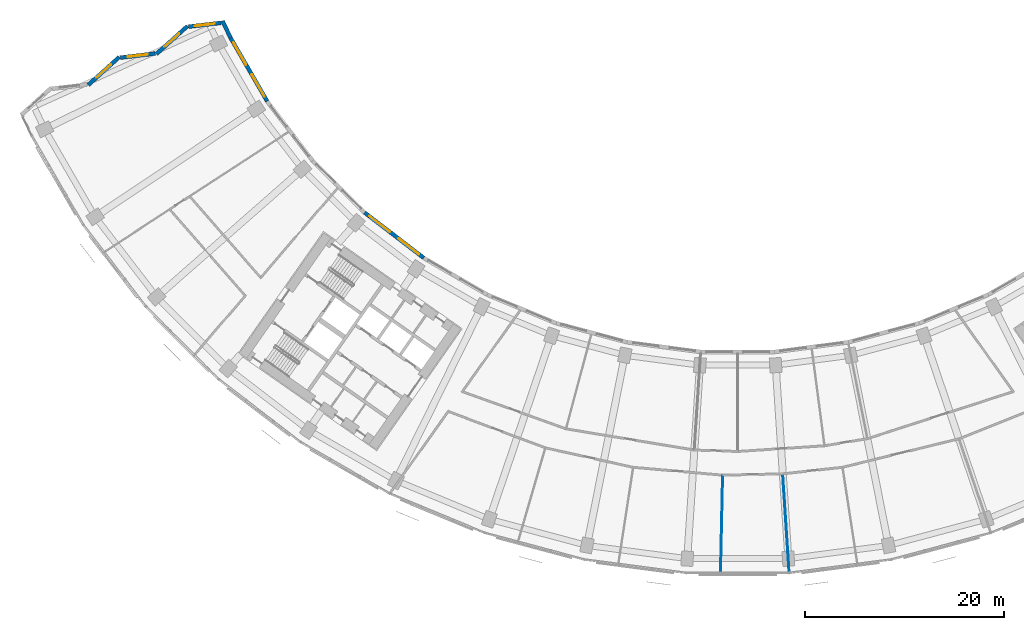
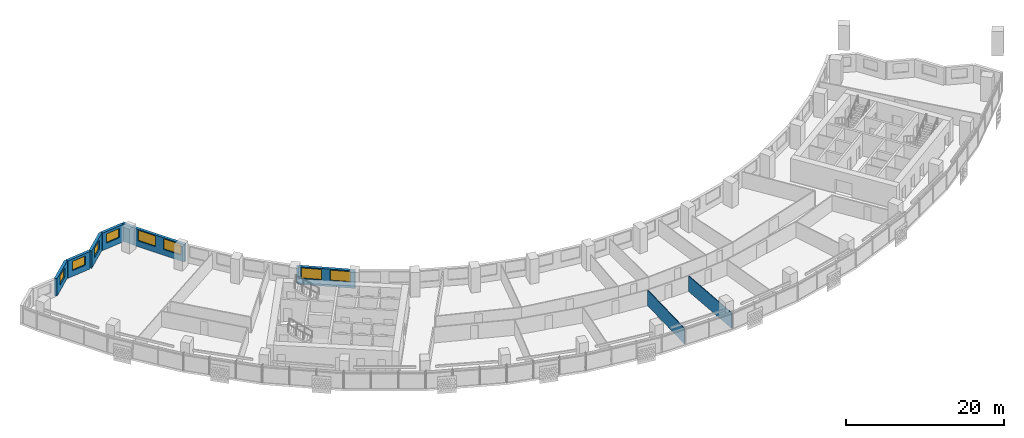
# One storey, part 5 of 29: 9 walls, 8 windows, 8 openings.
"""IFC4 building model written with IfcOpenShell, lengths in metres."""

from ifc_helpers import new_model, si_unit, direction, frame, frame_2d, origin, place, context, subcontext, project, spatial, rectangle, extrude, material, layer, layer_set, type_object, element, fill, save


model = new_model("IFC4")

# Units and contexts
model_context = context("Model", 3, precision=1e-05, world=origin(), true_north=direction((0.0, 1.0)))
body_context = subcontext(model_context, "Body", "Model", "MODEL_VIEW")
ifc_project = project(units=[si_unit("LENGTHUNIT", "METRE"), si_unit("AREAUNIT", "SQUARE_METRE"), si_unit("VOLUMEUNIT", "CUBIC_METRE"), si_unit("PLANEANGLEUNIT", "RADIAN"), si_unit("MASSUNIT", "GRAM", prefix="KILO")], contexts=[model_context])

# Site, building, storey
site_placement = place(None, origin())
site = spatial("IfcSite", under=ifc_project, at=site_placement, CompositionType="ELEMENT")
building_placement = place(site_placement, origin())
building = spatial("IfcBuilding", under=site, at=building_placement, Name="Qamariyya Broadcast Tower", CompositionType="ELEMENT")
storey_placement = place(building_placement, frame((0.0, 0.0, 113.89990234375)))
storey = spatial("IfcBuildingStorey", under=building, at=storey_placement, Name="L25", CompositionType="ELEMENT", Elevation=113.89990234375)

# Walls
ifc_material_1 = material(Name="Gypsum board partition")
ifc_layer_1 = layer(ifc_material_1, 0.10009765625)
ifc_layer_set_1 = layer_set([ifc_layer_1], Name="Partition 100")
wall_type_1 = type_object("IfcWallType", Name="Partition 100", PredefinedType="PARTITIONING", material=ifc_layer_set_1)
wall_1_placement = place(storey_placement, frame((-1.724365234375, -78.93017578125, 0.0), z_axis=(0.0, 0.0, 1.0), x_axis=(0.021829960086, 0.999761698027, 0.0)))
element("IfcWall", 1, at=wall_1_placement, inside=storey, type_object=wall_type_1, Name="Partition L25-020", PredefinedType="PARTITIONING", context=body_context, shape_type="SweptSolid", body=[
    extrude(rectangle(XDim=9.673828125, YDim=0.10009765625, at=frame_2d((4.8369140625, 0.0))), origin(), (0.0, 0.0, 1.0), 2.400146484375),
])
wall_2_placement = place(storey_placement, frame((5.17333984375, -78.9306640625, 0.0), z_axis=(0.0, 0.0, 1.0), x_axis=(-0.065402415744, 0.997858970003, 0.0)))
element("IfcWall", 2, at=wall_2_placement, inside=storey, type_object=wall_type_1, Name="Partition L25-025", PredefinedType="PARTITIONING", context=body_context, shape_type="SweptSolid", body=[
    extrude(rectangle(XDim=9.824951171875, YDim=0.10009765625, at=frame_2d((4.91259765625, 0.0))), origin(), (0.0, 0.0, 1.0), 2.400146484375),
])

# Wall, opening, window
ifc_material_2 = material(Name="Terracotta", Category="masonry")
ifc_layer_2 = layer(ifc_material_2, 0.39990234375)
ifc_layer_set_2 = layer_set([ifc_layer_2], Name="Terracotta clad wall 400")
wall_type_2 = type_object("IfcWallType", Name="Terracotta clad wall 400", PredefinedType="SOLIDWALL", material=ifc_layer_set_2)
wall_3_placement = place(storey_placement, frame((-51.99609375, -23.683837890625, 0.0), z_axis=(0.0, 0.0, 1.0), x_axis=(-0.993181099062, -0.116581750145, 0.0)))
wall_3 = element("IfcWall", 3, at=wall_3_placement, inside=storey, type_object=wall_type_2, Name="e-wl-L25-capW0", PredefinedType="SOLIDWALL", context=body_context, shape_type="SweptSolid", body=[
    extrude(rectangle(XDim=3.275146484375, YDim=0.39990234375, at=frame_2d((1.6376953125, 0.0))), origin(), (0.0, 0.0, 1.0), 2.7001953125),
])
opening_1_placement = place(wall_3_placement, frame((0.6376953125, 0.0, 0.89990234375)))
opening_1 = element("IfcOpeningElement", 4, at=opening_1_placement, cuts=wall_3, Name="Opening W4", PredefinedType="OPENING", context=body_context, shape_type="SweptSolid", body=[
    extrude(rectangle(XDim=2.0, YDim=1.425048828125, at=frame_2d((1.0, 0.71240234375))), frame((0.0, 0.2099609375, 0.0), z_axis=(0.0, -1.0, 0.0), x_axis=(1.0, 0.0, 0.0)), (0.0, 0.0, 1.0), 0.419921875),
])
ifc_material_3 = material(Name="Clear low-e double glazed unit in aluminium frame", Category="aluminium")
window_type_1 = type_object("IfcWindowType", Name="Horn bay window 2000 x 1425", PartitioningType="SINGLE_PANEL", PredefinedType="WINDOW", material=ifc_material_3)
window_1_placement = place(opening_1_placement, origin())
window_1 = element("IfcWindow", 5, at=window_1_placement, inside=storey, type_object=window_type_1, Name="e-w-L25-capW0", OverallHeight=1.425048828125, OverallWidth=2.0, PartitioningType="SINGLE_PANEL", PredefinedType="WINDOW", context=body_context, shape_type="SweptSolid", body=[
    extrude(rectangle(XDim=2.0, YDim=1.425048828125, at=frame_2d((1.0, 0.71240234375))), frame((0.0, 0.030029296875, 0.0), z_axis=(0.0, -1.0, 0.0), x_axis=(1.0, 0.0, 0.0)), (0.0, 0.0, 1.0), 0.06005859375),
])
fill(opening_1, window_1)

wall_4_placement = place(storey_placement, frame((-55.371337890625, -24.01318359375, 0.0), z_axis=(0.0, 0.0, 1.0), x_axis=(-0.742715018752, -0.669607647, 0.0)))
wall_4 = element("IfcWall", 6, at=wall_4_placement, inside=storey, type_object=wall_type_2, Name="e-wl-L25-capW1", PredefinedType="SOLIDWALL", context=body_context, shape_type="SweptSolid", body=[
    extrude(rectangle(XDim=4.1943359375, YDim=0.39990234375, at=frame_2d((2.09716796875, 0.0))), origin(), (0.0, 0.0, 1.0), 2.7001953125),
])
opening_2_placement = place(wall_4_placement, frame((1.09716796875, 0.0, 0.89990234375)))
opening_2 = element("IfcOpeningElement", 7, at=opening_2_placement, cuts=wall_4, Name="Opening W4", PredefinedType="OPENING", context=body_context, shape_type="SweptSolid", body=[
    extrude(rectangle(XDim=2.0, YDim=1.425048828125, at=frame_2d((1.0, 0.71240234375))), frame((0.0, 0.2099609375, 0.0), z_axis=(0.0, -1.0, 0.0), x_axis=(1.0, 0.0, 0.0)), (0.0, 0.0, 1.0), 0.419921875),
])
window_2_placement = place(opening_2_placement, origin())
window_2 = element("IfcWindow", 8, at=window_2_placement, inside=storey, type_object=window_type_1, Name="e-w-L25-capW1", OverallHeight=1.425048828125, OverallWidth=2.0, PartitioningType="SINGLE_PANEL", PredefinedType="WINDOW", context=body_context, shape_type="SweptSolid", body=[
    extrude(rectangle(XDim=2.0, YDim=1.425048828125, at=frame_2d((1.0, 0.71240234375))), frame((0.0, 0.030029296875, 0.0), z_axis=(0.0, -1.0, 0.0), x_axis=(1.0, 0.0, 0.0)), (0.0, 0.0, 1.0), 0.06005859375),
])
fill(opening_2, window_2)

wall_5_placement = place(storey_placement, frame((-58.609130859375, -26.76904296875, 0.0), z_axis=(0.0, 0.0, 1.0), x_axis=(-0.993165253911, -0.116716658728, 0.0)))
wall_5 = element("IfcWall", 9, at=wall_5_placement, inside=storey, type_object=wall_type_2, Name="e-wl-L25-capW2", PredefinedType="SOLIDWALL", context=body_context, shape_type="SweptSolid", body=[
    extrude(rectangle(XDim=3.524658203125, YDim=0.39990234375, at=frame_2d((1.76220703125, 0.0))), origin(), (0.0, 0.0, 1.0), 2.7001953125),
])
opening_3_placement = place(wall_5_placement, frame((0.762451171875, 0.0, 0.89990234375)))
opening_3 = element("IfcOpeningElement", 10, at=opening_3_placement, cuts=wall_5, Name="Opening W4", PredefinedType="OPENING", context=body_context, shape_type="SweptSolid", body=[
    extrude(rectangle(XDim=2.0, YDim=1.425048828125, at=frame_2d((1.0, 0.71240234375))), frame((0.0, 0.2099609375, 0.0), z_axis=(0.0, -1.0, 0.0), x_axis=(1.0, 0.0, 0.0)), (0.0, 0.0, 1.0), 0.419921875),
])
window_3_placement = place(opening_3_placement, origin())
window_3 = element("IfcWindow", 11, at=window_3_placement, inside=storey, type_object=window_type_1, Name="e-w-L25-capW2", OverallHeight=1.425048828125, OverallWidth=2.0, PartitioningType="SINGLE_PANEL", PredefinedType="WINDOW", context=body_context, shape_type="SweptSolid", body=[
    extrude(rectangle(XDim=2.0, YDim=1.425048828125, at=frame_2d((1.0, 0.71240234375))), frame((0.0, 0.030029296875, 0.0), z_axis=(0.0, -1.0, 0.0), x_axis=(1.0, 0.0, 0.0)), (0.0, 0.0, 1.0), 0.06005859375),
])
fill(opening_3, window_3)

wall_6_placement = place(storey_placement, frame((-62.23193359375, -27.1279296875, 0.0), z_axis=(0.0, 0.0, 1.0), x_axis=(-0.742668507473, -0.66965923275, 0.0)))
wall_6 = element("IfcWall", 12, at=wall_6_placement, inside=storey, type_object=wall_type_2, Name="e-wl-L25-capW3", PredefinedType="SOLIDWALL", context=body_context, shape_type="SweptSolid", body=[
    extrude(rectangle(XDim=4.193359375, YDim=0.39990234375, at=frame_2d((2.0966796875, 0.0))), origin(), (0.0, 0.0, 1.0), 2.7001953125),
])
opening_4_placement = place(wall_6_placement, frame((1.0966796875, 0.0, 0.89990234375)))
opening_4 = element("IfcOpeningElement", 13, at=opening_4_placement, cuts=wall_6, Name="Opening W4", PredefinedType="OPENING", context=body_context, shape_type="SweptSolid", body=[
    extrude(rectangle(XDim=2.0, YDim=1.425048828125, at=frame_2d((1.0, 0.71240234375))), frame((0.0, 0.2099609375, 0.0), z_axis=(0.0, -1.0, 0.0), x_axis=(1.0, 0.0, 0.0)), (0.0, 0.0, 1.0), 0.419921875),
])
window_4_placement = place(opening_4_placement, origin())
window_4 = element("IfcWindow", 14, at=window_4_placement, inside=storey, type_object=window_type_1, Name="e-w-L25-capW3", OverallHeight=1.425048828125, OverallWidth=2.0, PartitioningType="SINGLE_PANEL", PredefinedType="WINDOW", context=body_context, shape_type="SweptSolid", body=[
    extrude(rectangle(XDim=2.0, YDim=1.425048828125, at=frame_2d((1.0, 0.71240234375))), frame((0.0, 0.030029296875, 0.0), z_axis=(0.0, -1.0, 0.0), x_axis=(1.0, 0.0, 0.0)), (0.0, 0.0, 1.0), 0.06005859375),
])
fill(opening_4, window_4)

# Wall
wall_7_placement = place(storey_placement, frame((-51.0234375, -25.184326171875, 0.0), z_axis=(0.0, 0.0, 1.0), x_axis=(-0.427969270162, 0.903793285988, 0.0)))
element("IfcWall", 15, at=wall_7_placement, inside=storey, type_object=wall_type_2, Name="e-wl-L25-in00", PredefinedType="SOLIDWALL", context=body_context, shape_type="SweptSolid", body=[
    extrude(rectangle(XDim=1.882568359375, YDim=0.39990234375, at=frame_2d((0.94140625, 0.0))), origin(), (0.0, 0.0, 1.0), 2.7001953125),
])

# Wall, openings, windows
wall_8_placement = place(storey_placement, frame((-47.33642578125, -31.568359375, 0.0), z_axis=(0.0, 0.0, 1.0), x_axis=(-0.499990592807, 0.866030834962, 0.0)))
wall_8 = element("IfcWall", 16, at=wall_8_placement, inside=storey, type_object=wall_type_2, Name="e-wl-L25-in10", PredefinedType="SOLIDWALL", context=body_context, shape_type="SweptSolid", body=[
    extrude(rectangle(XDim=7.356201171875, YDim=0.39990234375, at=frame_2d((3.67822265625, 0.0))), origin(), (0.0, 0.0, 1.0), 2.7001953125),
])
opening_5_placement = place(wall_8_placement, frame((4.224853515625, 0.0, 0.89990234375)))
opening_5 = element("IfcOpeningElement", 17, at=opening_5_placement, cuts=wall_8, Name="Opening W1", PredefinedType="OPENING", context=body_context, shape_type="SweptSolid", body=[
    extrude(rectangle(XDim=2.60009765625, YDim=1.64990234375, at=frame_2d((1.300048828125, 0.824951171875))), frame((0.0, 0.2099609375, 0.0), z_axis=(0.0, -1.0, 0.0), x_axis=(1.0, 0.0, 0.0)), (0.0, 0.0, 1.0), 0.419921875),
])
opening_6_placement = place(wall_8_placement, frame((0.5166015625, 0.0, 0.89990234375)))
opening_6 = element("IfcOpeningElement", 18, at=opening_6_placement, cuts=wall_8, Name="Opening W1", PredefinedType="OPENING", context=body_context, shape_type="SweptSolid", body=[
    extrude(rectangle(XDim=2.60009765625, YDim=1.64990234375, at=frame_2d((1.300048828125, 0.824951171875))), frame((0.0, 0.2099609375, 0.0), z_axis=(0.0, -1.0, 0.0), x_axis=(1.0, 0.0, 0.0)), (0.0, 0.0, 1.0), 0.419921875),
])
window_type_2 = type_object("IfcWindowType", Name="Ribbon window 2600 x 1650", PartitioningType="SINGLE_PANEL", PredefinedType="WINDOW", material=ifc_material_3)
window_5_placement = place(opening_5_placement, origin())
window_5 = element("IfcWindow", 19, at=window_5_placement, inside=storey, type_object=window_type_2, Name="e-w-L25-in01-0", OverallHeight=1.64990234375, OverallWidth=2.60009765625, PartitioningType="SINGLE_PANEL", PredefinedType="WINDOW", context=body_context, shape_type="SweptSolid", body=[
    extrude(rectangle(XDim=2.60009765625, YDim=1.64990234375, at=frame_2d((1.300048828125, 0.824951171875))), frame((0.0, 0.030029296875, 0.0), z_axis=(0.0, -1.0, 0.0), x_axis=(1.0, 0.0, 0.0)), (0.0, 0.0, 1.0), 0.06005859375),
])
fill(opening_5, window_5)
window_6_placement = place(opening_6_placement, origin())
window_6 = element("IfcWindow", 20, at=window_6_placement, inside=storey, type_object=window_type_2, Name="e-w-L25-in01-1", OverallHeight=1.64990234375, OverallWidth=2.60009765625, PartitioningType="SINGLE_PANEL", PredefinedType="WINDOW", context=body_context, shape_type="SweptSolid", body=[
    extrude(rectangle(XDim=2.60009765625, YDim=1.64990234375, at=frame_2d((1.300048828125, 0.824951171875))), frame((0.0, 0.030029296875, 0.0), z_axis=(0.0, -1.0, 0.0), x_axis=(1.0, 0.0, 0.0)), (0.0, 0.0, 1.0), 0.06005859375),
])
fill(opening_6, window_6)

wall_9_placement = place(storey_placement, frame((-31.59228515625, -47.326171875, 0.0), z_axis=(0.0, 0.0, 1.0), x_axis=(-0.793363487476, 0.608748204711, 0.0)))
wall_9 = element("IfcWall", 21, at=wall_9_placement, inside=storey, type_object=wall_type_2, Name="e-wl-L25-in40", PredefinedType="SOLIDWALL", context=body_context, shape_type="SweptSolid", body=[
    extrude(rectangle(XDim=7.492919921875, YDim=0.39990234375, at=frame_2d((3.74658203125, 0.0))), origin(), (0.0, 0.0, 1.0), 2.7001953125),
])
opening_7_placement = place(wall_9_placement, frame((4.300537109375, 0.0, 0.89990234375)))
opening_7 = element("IfcOpeningElement", 22, at=opening_7_placement, cuts=wall_9, Name="Opening W1", PredefinedType="OPENING", context=body_context, shape_type="SweptSolid", body=[
    extrude(rectangle(XDim=2.60009765625, YDim=1.64990234375, at=frame_2d((1.300048828125, 0.824951171875))), frame((0.0, 0.2099609375, 0.0), z_axis=(0.0, -1.0, 0.0), x_axis=(1.0, 0.0, 0.0)), (0.0, 0.0, 1.0), 0.419921875),
])
opening_8_placement = place(wall_9_placement, frame((0.59228515625, 0.0, 0.89990234375)))
opening_8 = element("IfcOpeningElement", 23, at=opening_8_placement, cuts=wall_9, Name="Opening W1", PredefinedType="OPENING", context=body_context, shape_type="SweptSolid", body=[
    extrude(rectangle(XDim=2.60009765625, YDim=1.64990234375, at=frame_2d((1.300048828125, 0.824951171875))), frame((0.0, 0.2099609375, 0.0), z_axis=(0.0, -1.0, 0.0), x_axis=(1.0, 0.0, 0.0)), (0.0, 0.0, 1.0), 0.419921875),
])
window_7_placement = place(opening_7_placement, origin())
window_7 = element("IfcWindow", 24, at=window_7_placement, inside=storey, type_object=window_type_2, Name="e-w-L25-in04-0", OverallHeight=1.64990234375, OverallWidth=2.60009765625, PartitioningType="SINGLE_PANEL", PredefinedType="WINDOW", context=body_context, shape_type="SweptSolid", body=[
    extrude(rectangle(XDim=2.60009765625, YDim=1.64990234375, at=frame_2d((1.300048828125, 0.824951171875))), frame((0.0, 0.030029296875, 0.0), z_axis=(0.0, -1.0, 0.0), x_axis=(1.0, 0.0, 0.0)), (0.0, 0.0, 1.0), 0.06005859375),
])
fill(opening_7, window_7)
window_8_placement = place(opening_8_placement, origin())
window_8 = element("IfcWindow", 25, at=window_8_placement, inside=storey, type_object=window_type_2, Name="e-w-L25-in04-1", OverallHeight=1.64990234375, OverallWidth=2.60009765625, PartitioningType="SINGLE_PANEL", PredefinedType="WINDOW", context=body_context, shape_type="SweptSolid", body=[
    extrude(rectangle(XDim=2.60009765625, YDim=1.64990234375, at=frame_2d((1.300048828125, 0.824951171875))), frame((0.0, 0.030029296875, 0.0), z_axis=(0.0, -1.0, 0.0), x_axis=(1.0, 0.0, 0.0)), (0.0, 0.0, 1.0), 0.06005859375),
])
fill(opening_8, window_8)

save(model, "model.ifc")
